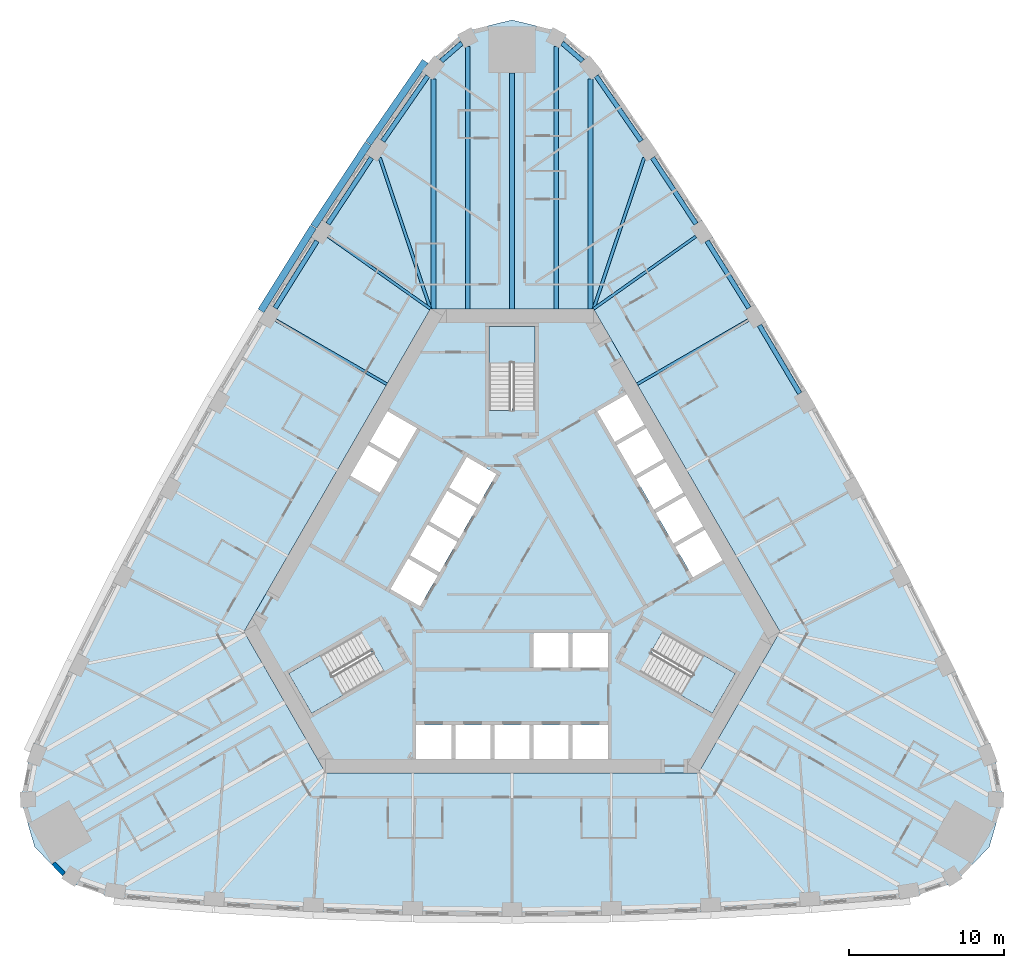
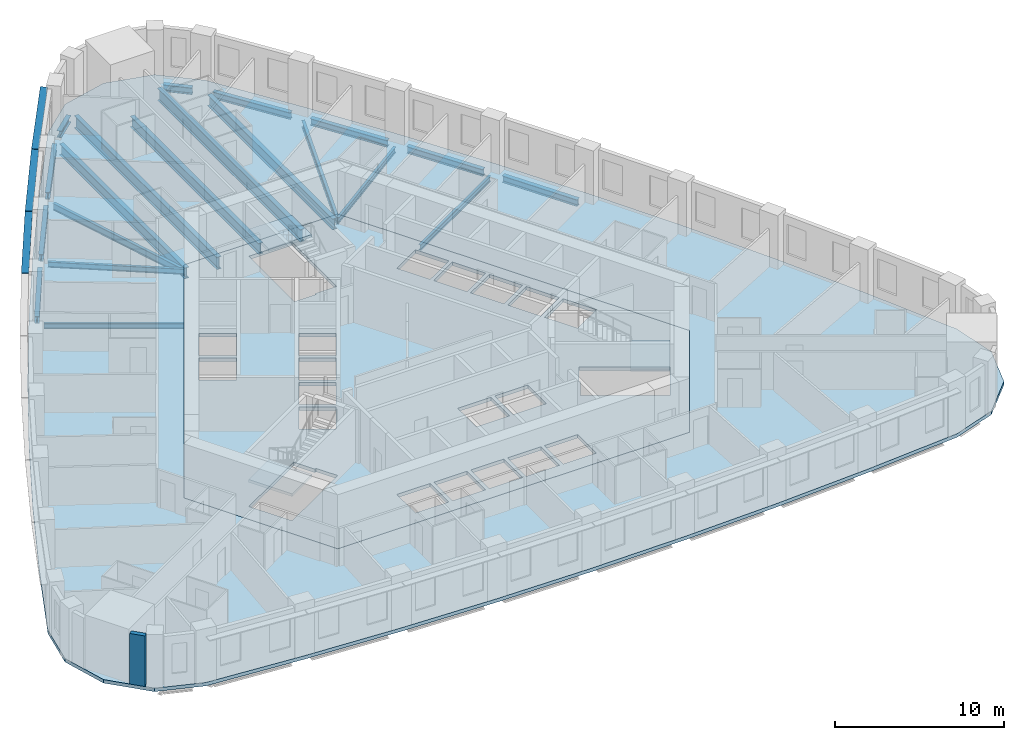
# One storey, part 2 of 13: 20 beams, 5 slabs, 3 members, 1 wall, 3 elements without a shape of their own.
"""IFC4 building model written with IfcOpenShell, lengths in metres."""

from ifc_helpers import new_model, si_unit, direction, frame, frame_2d, origin, origin_2d, place, context, subcontext, project, spatial, polyline, rectangle, i_section, outline, extrude, material, layer, layer_set, material_profile, profile_set, type_object, element, aggregate, save


model = new_model("IFC4")

# Units and contexts
model_context = context("Model", 3, precision=1e-05, world=origin(), true_north=direction((0.0, 1.0)))
body_context = subcontext(model_context, "Body", "Model", "MODEL_VIEW")
ifc_project = project(units=[si_unit("LENGTHUNIT", "METRE"), si_unit("AREAUNIT", "SQUARE_METRE"), si_unit("VOLUMEUNIT", "CUBIC_METRE"), si_unit("PLANEANGLEUNIT", "RADIAN"), si_unit("MASSUNIT", "GRAM", prefix="KILO")], contexts=[model_context])

# Site, building, storey
site_placement = place(None, origin())
site = spatial("IfcSite", under=ifc_project, at=site_placement, CompositionType="ELEMENT")
building_placement = place(site_placement, origin())
building = spatial("IfcBuilding", under=site, at=building_placement, Name="Mestral Congress Tower", CompositionType="ELEMENT")
storey_placement = place(building_placement, frame((0.0, 0.0, 95.39990234375)))
storey = spatial("IfcBuildingStorey", under=building, at=storey_placement, Name="L22", CompositionType="ELEMENT", Elevation=95.39990234375)

# Members
ifc_material_1 = material(Name="Glazed ceramic", Category="masonry")
ifc_material_profile_1 = material_profile(ifc_material_1, rectangle(XDim=0.449951171875, YDim=0.06005859375, at=origin_2d()), Name="Ceramic blade 450 x 60")
ifc_profile_set_1 = profile_set([ifc_material_profile_1], Name="Glazed ceramic")
member_type = type_object("IfcMemberType", Name="Facade sunshade blade 450 x 60", PredefinedType="USERDEFINED", material=ifc_profile_set_1)
member_placement = place(storey_placement, frame((-5.590576171875, 32.8505859375, 3.280029296875), z_axis=(-0.569144736399, -0.822237355652, 0.0), x_axis=(0.822237355652, -0.569144736399, 0.0)))
element("IfcMember", 1, at=member_placement, inside=storey, type_object=member_type, Name="Sunshade F2-00", ObjectType="SUNSHADE", PredefinedType="USERDEFINED", context=body_context, shape_type="SweptSolid", body=[
    extrude(rectangle(XDim=0.449951171875, YDim=0.06005859375, at=origin_2d()), origin(), (0.0, 0.0, 1.0), 6.421630859375),
])
for number, where, z_axis, x_axis, name in (
    (2, (-9.2705078125, 27.532958984375, 3.280029296875), (-0.549764307833, -0.835319822483, 0.0), (0.835319822483, -0.549764307833, 0.0), "Sunshade F2-01"),
    (3, (-12.797119140625, 22.173583984375, 3.280029296875), (-0.530060946156, -0.847959547007, 0.0), (0.847959547007, -0.530060946156, 0.0), "Sunshade F2-02"),
):
    element("IfcMember", number, at=place(storey_placement, frame(where, z_axis=z_axis, x_axis=x_axis)), inside=storey, type_object=member_type, Name=name, ObjectType="SUNSHADE", PredefinedType="USERDEFINED", context=body_context, shape_type="SweptSolid", body=[
        extrude(rectangle(XDim=0.449951171875, YDim=0.06005859375, at=origin_2d()), origin(), (0.0, 0.0, 1.0), 6.370361328125),
    ])

# Beams
ifc_material_2 = material(Name="Steel S355", Category="steel")
ifc_material_profile_2 = material_profile(ifc_material_2, i_section(OverallWidth=0.300048828125, OverallDepth=0.800048828125, WebThickness=0.017578125, FlangeThickness=0.032958984375, FilletRadius=0.030029296875, at=origin_2d()), Name="HEB 800")
ifc_profile_set_2 = profile_set([ifc_material_profile_2], Name="Steel S355")
beam_type_1 = type_object("IfcBeamType", Name="Floor beam HEB 800 S355", PredefinedType="BEAM", material=ifc_profile_set_2)
beam_1_placement = place(storey_placement, frame((5.056396484375, 31.72412109375, -0.64990234375), z_axis=(0.0, -1.0, 0.0), x_axis=(1.0, 0.0, 0.0)))
element("IfcBeam", 4, at=beam_1_placement, inside=storey, type_object=beam_type_1, Name="BM-L22-RB2-E08", PredefinedType="BEAM", context=body_context, shape_type="SweptSolid", body=[
    extrude(i_section(OverallWidth=0.300048828125, OverallDepth=0.800048828125, WebThickness=0.017578125, FlangeThickness=0.032958984375, FilletRadius=0.030029296875, at=origin_2d()), origin(), (0.0, 0.0, 1.0), 14.82421875),
])
beam_2_placement = place(storey_placement, frame((0.0, 32.098388671875, -0.64990234375), z_axis=(0.0, -1.0, 0.0), x_axis=(1.0, 0.0, 0.0)))
element("IfcBeam", 5, at=beam_2_placement, inside=storey, type_object=beam_type_1, Name="BM-L22-RB2-N", PredefinedType="BEAM", context=body_context, shape_type="SweptSolid", body=[
    extrude(i_section(OverallWidth=0.300048828125, OverallDepth=0.800048828125, WebThickness=0.017578125, FlangeThickness=0.032958984375, FilletRadius=0.030029296875, at=origin_2d()), origin(), (0.0, 0.0, 1.0), 15.198486328125),
])
beam_3_placement = place(storey_placement, frame((-5.056396484375, 31.72412109375, -0.64990234375), z_axis=(0.0, -1.0, 0.0), x_axis=(1.0, 0.0, 0.0)))
element("IfcBeam", 6, at=beam_3_placement, inside=storey, type_object=beam_type_1, Name="BM-L22-RB2-W00", PredefinedType="BEAM", context=body_context, shape_type="SweptSolid", body=[
    extrude(i_section(OverallWidth=0.300048828125, OverallDepth=0.800048828125, WebThickness=0.017578125, FlangeThickness=0.032958984375, FilletRadius=0.030029296875, at=origin_2d()), origin(), (0.0, 0.0, 1.0), 14.82421875),
])
ifc_material_profile_3 = material_profile(ifc_material_2, i_section(OverallWidth=0.300048828125, OverallDepth=0.89990234375, WebThickness=0.0185546875, FlangeThickness=0.034912109375, FilletRadius=0.030029296875, at=origin_2d()), Name="HEB 900")
ifc_profile_set_3 = profile_set([ifc_material_profile_3], Name="Steel S355")
beam_type_2 = type_object("IfcBeamType", Name="Floor beam HEB 900 S355", PredefinedType="BEAM", material=ifc_profile_set_3)
for number, where, z_axis, x_axis, name in (
    (7, (2.845703125, 33.794189453125, -0.699951171875), (0.0, -1.0, 0.0), (1.0, 0.0, 0.0), "BM-L22-RB2-N1"),
    (8, (-2.845703125, 33.794189453125, -0.699951171875), (0.0, -1.0, 0.0), (1.0, 0.0, 0.0), "BM-L22-RB2-N3"),
):
    element("IfcBeam", number, at=place(storey_placement, frame(where, z_axis=z_axis, x_axis=x_axis)), inside=storey, type_object=beam_type_2, Name=name, PredefinedType="BEAM", context=body_context, shape_type="SweptSolid", body=[
        extrude(i_section(OverallWidth=0.300048828125, OverallDepth=0.89990234375, WebThickness=0.0185546875, FlangeThickness=0.034912109375, FilletRadius=0.030029296875, at=origin_2d()), origin(), (0.0, 0.0, 1.0), 16.894287109375),
    ])
ifc_material_profile_4 = material_profile(ifc_material_2, i_section(OverallWidth=0.179931640625, OverallDepth=0.39990234375, WebThickness=0.008544921875, FlangeThickness=0.013427734375, FilletRadius=0.02099609375, at=origin_2d()), Name="IPE 400")
ifc_profile_set_4 = profile_set([ifc_material_profile_4], Name="Steel S355")
beam_type_3 = type_object("IfcBeamType", Name="Floor beam IPE 400 S355", PredefinedType="BEAM", material=ifc_profile_set_4)
beam_4_placement = place(storey_placement, frame((15.219482421875, 16.176513671875, -0.449951171875), z_axis=(-0.866015952286, -0.500016370119, 0.0), x_axis=(0.500016370119, -0.866015952286, 0.0)))
element("IfcBeam", 9, at=beam_4_placement, inside=storey, type_object=beam_type_3, Name="BM-L22-RB2-E05", PredefinedType="BEAM", context=body_context, shape_type="SweptSolid", body=[
    extrude(i_section(OverallWidth=0.179931640625, OverallDepth=0.39990234375, WebThickness=0.008544921875, FlangeThickness=0.013427734375, FilletRadius=0.02099609375, at=origin_2d()), origin(), (0.0, 0.0, 1.0), 8.268798828125),
])
for number, where, z_axis, x_axis, name in (
    (10, (11.849365234375, 21.568115234375, -0.449951171875), (-0.816232852676, -0.577723056673, 0.0), (0.577723056673, -0.816232852676, 0.0), "BM-L22-RB2-E06"),
    (11, (-11.849365234375, 21.568115234375, -0.449951171875), (0.816232852676, -0.577723056673, 0.0), (0.577723056673, 0.816232852676, 0.0), "BM-L22-RB2-W02"),
):
    element("IfcBeam", number, at=place(storey_placement, frame(where, z_axis=z_axis, x_axis=x_axis)), inside=storey, type_object=beam_type_3, Name=name, PredefinedType="BEAM", context=body_context, shape_type="SweptSolid", body=[
        extrude(i_section(OverallWidth=0.179931640625, OverallDepth=0.39990234375, WebThickness=0.008544921875, FlangeThickness=0.013427734375, FilletRadius=0.02099609375, at=origin_2d()), origin(), (0.0, 0.0, 1.0), 8.080322265625),
    ])
beam_5_placement = place(storey_placement, frame((-15.219482421875, 16.176513671875, -0.449951171875), z_axis=(0.866015952286, -0.500016370119, 0.0), x_axis=(0.500016370119, 0.866015952286, 0.0)))
element("IfcBeam", 12, at=beam_5_placement, inside=storey, type_object=beam_type_3, Name="BM-L22-RB2-W03", PredefinedType="BEAM", context=body_context, shape_type="SweptSolid", body=[
    extrude(i_section(OverallWidth=0.179931640625, OverallDepth=0.39990234375, WebThickness=0.008544921875, FlangeThickness=0.013427734375, FilletRadius=0.02099609375, at=origin_2d()), origin(), (0.0, 0.0, 1.0), 8.268798828125),
])
ifc_material_profile_5 = material_profile(ifc_material_2, i_section(OverallWidth=0.199951171875, OverallDepth=0.5, WebThickness=0.01025390625, FlangeThickness=0.01611328125, FilletRadius=0.02099609375, at=origin_2d()), Name="IPE 500")
ifc_profile_set_5 = profile_set([ifc_material_profile_5], Name="Steel S355")
beam_type_4 = type_object("IfcBeamType", Name="Floor beam IPE 500 S355", PredefinedType="BEAM", material=ifc_profile_set_5)
for number, where, z_axis, x_axis, name in (
    (13, (8.5185546875, 26.636962890625, -0.5), (-0.317888994992, -0.948127938025, 0.0), (0.948127938025, -0.317888994992, 0.0), "BM-L22-RB2-E07"),
    (14, (-8.5185546875, 26.636962890625, -0.5), (0.317888994992, -0.948127938025, 0.0), (0.948127938025, 0.317888994992, 0.0), "BM-L22-RB2-W01"),
):
    element("IfcBeam", number, at=place(storey_placement, frame(where, z_axis=z_axis, x_axis=x_axis)), inside=storey, type_object=beam_type_4, Name=name, PredefinedType="BEAM", context=body_context, shape_type="SweptSolid", body=[
        extrude(i_section(OverallWidth=0.199951171875, OverallDepth=0.5, WebThickness=0.01025390625, FlangeThickness=0.01611328125, FilletRadius=0.02099609375, at=origin_2d()), origin(), (0.0, 0.0, 1.0), 10.269775390625),
    ])
ifc_material_profile_6 = material_profile(ifc_material_2, i_section(OverallWidth=0.300048828125, OverallDepth=0.489990234375, WebThickness=0.011962890625, FlangeThickness=0.02294921875, FilletRadius=0.027099609375, at=origin_2d()), Name="HEA 500")
ifc_profile_set_6 = profile_set([ifc_material_profile_6], Name="Steel S355")
beam_type_5 = type_object("IfcBeamType", Name="Spandrel beam HEA 500 S355", PredefinedType="BEAM", material=ifc_profile_set_6)
for number, where, z_axis, x_axis, name in (
    (15, (18.542236328125, 11.455810546875, -0.494873046875), (-0.510081870963, 0.860125854114, 0.0), (-0.860125854114, -0.510081870963, 0.0), "SP-L22-SB2-E04"),
    (16, (15.2646484375, 16.95263671875, -0.494873046875), (-0.530046273959, 0.847968718446, 0.0), (-0.847968718446, -0.530046273959, 0.0), "SP-L22-SB2-E05"),
):
    element("IfcBeam", number, at=place(storey_placement, frame(where, z_axis=z_axis, x_axis=x_axis)), inside=storey, type_object=beam_type_5, Name=name, PredefinedType="BEAM", context=body_context, shape_type="SweptSolid", body=[
        extrude(i_section(OverallWidth=0.300048828125, OverallDepth=0.489990234375, WebThickness=0.011962890625, FlangeThickness=0.02294921875, FilletRadius=0.027099609375, at=origin_2d()), origin(), (0.0, 0.0, 1.0), 5.099853515625),
    ])
beam_6_placement = place(storey_placement, frame((11.859619140625, 22.371337890625, -0.494873046875), z_axis=(-0.549729920898, 0.835342453171, 0.0), x_axis=(-0.835342453171, -0.549729920898, 0.0)))
element("IfcBeam", 17, at=beam_6_placement, inside=storey, type_object=beam_type_5, Name="SP-L22-SB2-E06", PredefinedType="BEAM", context=body_context, shape_type="SweptSolid", body=[
    extrude(i_section(OverallWidth=0.300048828125, OverallDepth=0.489990234375, WebThickness=0.011962890625, FlangeThickness=0.02294921875, FilletRadius=0.027099609375, at=origin_2d()), origin(), (0.0, 0.0, 1.0), 5.099609375),
])
beam_7_placement = place(storey_placement, frame((8.32861328125, 27.708740234375, -0.494873046875), z_axis=(-0.569105377225, 0.822264598298, 0.0), x_axis=(-0.822264598298, -0.569105377225, 0.0)))
element("IfcBeam", 18, at=beam_7_placement, inside=storey, type_object=beam_type_5, Name="SP-L22-SB2-E07", PredefinedType="BEAM", context=body_context, shape_type="SweptSolid", body=[
    extrude(i_section(OverallWidth=0.300048828125, OverallDepth=0.489990234375, WebThickness=0.011962890625, FlangeThickness=0.02294921875, FilletRadius=0.027099609375, at=origin_2d()), origin(), (0.0, 0.0, 1.0), 5.09765625),
])
for number, where, z_axis, x_axis, name in (
    (19, (4.558349609375, 32.869140625, -0.494873046875), (-0.754917058401, 0.655820276398, 0.0), (-0.655820276398, -0.754917058401, 0.0), "SP-L22-SB2-E08"),
    (20, (-3.234130859375, 34.01953125, -0.494873046875), (-0.754917058401, -0.655820276398, 0.0), (0.655820276398, -0.754917058401, 0.0), "SP-L22-SB2-N3"),
):
    element("IfcBeam", number, at=place(storey_placement, frame(where, z_axis=z_axis, x_axis=x_axis)), inside=storey, type_object=beam_type_5, Name=name, PredefinedType="BEAM", context=body_context, shape_type="SweptSolid", body=[
        extrude(i_section(OverallWidth=0.300048828125, OverallDepth=0.489990234375, WebThickness=0.011962890625, FlangeThickness=0.02294921875, FilletRadius=0.027099609375, at=origin_2d()), origin(), (0.0, 0.0, 1.0), 1.754150390625),
    ])
beam_8_placement = place(storey_placement, frame((-5.427490234375, 31.900390625, -0.494873046875), z_axis=(-0.569105377225, -0.822264598298, 0.0), x_axis=(0.822264598298, -0.569105377225, 0.0)))
element("IfcBeam", 21, at=beam_8_placement, inside=storey, type_object=beam_type_5, Name="SP-L22-SB2-W00", PredefinedType="BEAM", context=body_context, shape_type="SweptSolid", body=[
    extrude(i_section(OverallWidth=0.300048828125, OverallDepth=0.489990234375, WebThickness=0.011962890625, FlangeThickness=0.02294921875, FilletRadius=0.027099609375, at=origin_2d()), origin(), (0.0, 0.0, 1.0), 5.09765625),
])
beam_9_placement = place(storey_placement, frame((-9.05615234375, 26.63134765625, -0.494873046875), z_axis=(-0.549729920898, -0.835342453171, 0.0), x_axis=(0.835342453171, -0.549729920898, 0.0)))
element("IfcBeam", 22, at=beam_9_placement, inside=storey, type_object=beam_type_5, Name="SP-L22-SB2-W01", PredefinedType="BEAM", context=body_context, shape_type="SweptSolid", body=[
    extrude(i_section(OverallWidth=0.300048828125, OverallDepth=0.489990234375, WebThickness=0.011962890625, FlangeThickness=0.02294921875, FilletRadius=0.027099609375, at=origin_2d()), origin(), (0.0, 0.0, 1.0), 5.099609375),
])
beam_10_placement = place(storey_placement, frame((-12.5615234375, 21.277099609375, -0.494873046875), z_axis=(-0.530046273959, -0.847968718446, 0.0), x_axis=(0.847968718446, -0.530046273959, 0.0)))
element("IfcBeam", 23, at=beam_10_placement, inside=storey, type_object=beam_type_5, Name="SP-L22-SB2-W02", PredefinedType="BEAM", context=body_context, shape_type="SweptSolid", body=[
    extrude(i_section(OverallWidth=0.300048828125, OverallDepth=0.489990234375, WebThickness=0.011962890625, FlangeThickness=0.02294921875, FilletRadius=0.027099609375, at=origin_2d()), origin(), (0.0, 0.0, 1.0), 5.099853515625),
])

# Slabs
ifc_material_3 = material(Name="Concrete C35/45", Category="concrete")
ifc_layer_1 = layer(ifc_material_3, 0.25)
ifc_layer_set_1 = layer_set([ifc_layer_1], Name="Concrete C35/45")
slab_type_1 = type_object("IfcSlabType", Name="Composite floor slab 250", PredefinedType="FLOOR", material=ifc_layer_set_1)
placement_1 = place(storey_placement, frame((0.0, 0.0, -0.25)))
element("IfcSlab", 24, at=placement_1, inside=storey, type_object=slab_type_1, Name="SL-L22", PredefinedType="FLOOR", context=body_context, shape_type="SweptSolid", body=[
    extrude(outline(polyline([(-25.656005859375, -21.041015625), (-28.581298828125, -20.03271484375), (-30.75390625, -17.755859375), (-31.639404296875, -14.73583984375), (-31.050048828125, -11.697998046875), (-28.28759765625, -5.856689453125), (-25.412109375, -0.12744140625), (-22.403564453125, 5.533203125), (-19.263671875, 11.121826171875), (-15.99365234375, 16.635498046875), (-12.595703125, 22.0712890625), (-9.07177734375, 27.426025390625), (-5.39404296875, 32.739013671875), (-3.05810546875, 34.768310546875), (0.0, 35.51171875), (3.05810546875, 34.768310546875), (5.39404296875, 32.739013671875), (9.07177734375, 27.426025390625), (12.595703125, 22.0712890625), (15.99365234375, 16.635498046875), (19.263671875, 11.121826171875), (22.403564453125, 5.533203125), (25.412109375, -0.12744140625), (28.28759765625, -5.856689453125), (31.050048828125, -11.697998046875), (31.639404296875, -14.73583984375), (30.75390625, -17.755859375), (28.581298828125, -20.03271484375), (25.656005859375, -21.041015625), (19.2158203125, -21.5693359375), (12.81640625, -21.94384765625), (6.409912109375, -22.168701171875), (0.0, -22.24365234375), (-6.409912109375, -22.168701171875), (-12.81640625, -21.94384765625), (-19.2158203125, -21.5693359375), (-25.656005859375, -21.041015625)]), holes=[polyline([(-5.25390625, 16.89990234375), (-17.2626953125, -3.89990234375), (-12.0087890625, -13.0), (12.0087890625, -13.0), (17.2626953125, -3.89990234375), (5.25390625, 16.89990234375), (-5.25390625, 16.89990234375)])]), origin(), (0.0, 0.0, 1.0), 0.25),
])
ifc_material_4 = material(Name="Concrete C60/75", Category="concrete")
ifc_layer_2 = layer(ifc_material_4, 0.25)
ifc_layer_set_2 = layer_set([ifc_layer_2], Name="Concrete C60/75")
slab_type_2 = type_object("IfcSlabType", Name="Core floor slab RC 250", PredefinedType="FLOOR", material=ifc_layer_set_2)
element("IfcSlab", 25, at=placement_1, inside=storey, type_object=slab_type_2, Name="L22 core floor", PredefinedType="FLOOR", context=body_context, shape_type="SweptSolid", body=[
    extrude(outline(polyline([(12.0087890625, -13.0), (-12.0087890625, -13.0), (-17.2626953125, -3.89990234375), (-5.25390625, 16.89990234375), (5.25390625, 16.89990234375), (17.2626953125, -3.89990234375), (12.0087890625, -13.0)]), holes=[polyline([(-3.905029296875, -9.89990234375), (-6.175048828125, -9.89990234375), (-6.175048828125, -12.10009765625), (-3.905029296875, -12.10009765625), (-3.905029296875, -9.89990234375)]), polyline([(-1.385009765625, -9.89990234375), (-3.655029296875, -9.89990234375), (-3.655029296875, -12.10009765625), (-1.385009765625, -12.10009765625), (-1.385009765625, -9.89990234375)]), polyline([(1.135009765625, -9.89990234375), (-1.135009765625, -9.89990234375), (-1.135009765625, -12.10009765625), (1.135009765625, -12.10009765625), (1.135009765625, -9.89990234375)]), polyline([(-9.0673828125, -5.235107421875), (-9.8046875, -3.95751953125), (-14.37744140625, -6.59765625), (-12.90234375, -9.15234375), (-8.234619140625, -6.45751953125), (-8.971923828125, -5.179931640625), (-9.0673828125, -5.235107421875)]), polyline([(-7.826904296875, -1.156494140625), (-5.921630859375, -2.256591796875), (-4.78662109375, -0.29052734375), (-6.69189453125, 0.809326171875), (-7.826904296875, -1.156494140625)]), polyline([(-4.66162109375, -0.07421875), (-3.526611328125, 1.8916015625), (-5.431884765625, 2.99169921875), (-6.56689453125, 1.02587890625), (-4.66162109375, -0.07421875)]), polyline([(-3.401611328125, 2.1083984375), (-2.2666015625, 4.07421875), (-4.171875, 5.174072265625), (-5.306884765625, 3.208251953125), (-3.401611328125, 2.1083984375)]), polyline([(-2.1416015625, 4.29052734375), (-1.006591796875, 6.256591796875), (-2.911865234375, 7.3564453125), (-4.046875, 5.390625), (-2.1416015625, 4.29052734375)]), polyline([(-10.41650390625, 6.158203125), (-8.51123046875, 5.058349609375), (-7.376220703125, 7.024169921875), (-9.281494140625, 8.1240234375), (-10.41650390625, 6.158203125)]), polyline([(-9.156494140625, 8.340576171875), (-7.251220703125, 7.240478515625), (-6.1162109375, 9.20654296875), (-8.021484375, 10.306396484375), (-9.156494140625, 8.340576171875)]), polyline([(1.47509765625, 10.469970703125), (1.47509765625, 15.75), (-1.47509765625, 15.75), (-1.47509765625, 10.360107421875), (0.0, 10.360107421875), (0.0, 10.469970703125), (1.47509765625, 10.469970703125)]), polyline([(3.655029296875, -9.89990234375), (1.385009765625, -9.89990234375), (1.385009765625, -12.10009765625), (3.655029296875, -12.10009765625), (3.655029296875, -9.89990234375)]), polyline([(6.175048828125, -9.89990234375), (3.905029296875, -9.89990234375), (3.905029296875, -12.10009765625), (6.175048828125, -12.10009765625), (6.175048828125, -9.89990234375)]), polyline([(9.0673828125, -5.235107421875), (8.329833984375, -6.512451171875), (12.90234375, -9.15234375), (14.37744140625, -6.59765625), (9.70947265625, -3.902587890625), (8.971923828125, -5.179931640625), (9.0673828125, -5.235107421875)]), polyline([(3.655029296875, -6.199951171875), (3.655029296875, -4.0), (1.385009765625, -4.0), (1.385009765625, -6.199951171875), (3.655029296875, -6.199951171875)]), polyline([(6.175048828125, -4.0), (3.905029296875, -4.0), (3.905029296875, -6.199951171875), (6.175048828125, -6.199951171875), (6.175048828125, -4.0)]), polyline([(12.431396484375, 2.668212890625), (10.526123046875, 1.568115234375), (11.6611328125, -0.397705078125), (13.56640625, 0.702392578125), (12.431396484375, 2.668212890625)]), polyline([(11.17138671875, 4.8505859375), (9.26611328125, 3.75048828125), (10.401123046875, 1.78466796875), (12.306396484375, 2.884765625), (11.17138671875, 4.8505859375)]), polyline([(8.006103515625, 5.932861328125), (9.14111328125, 3.967041015625), (11.04638671875, 5.067138671875), (9.911376953125, 7.032958984375), (8.006103515625, 5.932861328125)]), polyline([(8.6513671875, 9.21533203125), (6.74609375, 8.115234375), (7.881103515625, 6.1494140625), (9.786376953125, 7.24951171875), (8.6513671875, 9.21533203125)]), polyline([(7.391357421875, 11.397705078125), (5.486083984375, 10.297607421875), (6.62109375, 8.331787109375), (8.5263671875, 9.431884765625), (7.391357421875, 11.397705078125)])]), origin(), (0.0, 0.0, 1.0), 0.25),
])

# Stair, slab
stair_type = type_object("IfcStairType", Name="Exit stair 1400", PredefinedType="HALF_TURN_STAIR", material=ifc_material_4)
placement_2 = place(storey_placement, origin())
stair_1 = element("IfcStair", 26, at=placement_2, inside=storey, type_object=stair_type, Name="L22 ST1", PredefinedType="HALF_TURN_STAIR")
ifc_layer_3 = layer(ifc_material_4, 0.199951171875)
ifc_layer_set_3 = layer_set([ifc_layer_3], Name="Concrete C60/75")
slab_type_3 = type_object("IfcSlabType", Name="Exit stair landing 200", PredefinedType="LANDING", material=ifc_layer_set_3)
placement_3 = place(storey_placement, frame((0.0, 0.0, 1.75)))
slab_3 = element("IfcSlab", 27, at=placement_3, type_object=slab_type_3, Name="ST1 landing 1", PredefinedType="LANDING", context=body_context, shape_type="SweptSolid", body=[
    extrude(outline(polyline([(10.879638671875, -7.99609375), (12.364501953125, -5.424072265625), (14.39111328125, -6.593994140625), (12.906005859375, -9.166015625), (10.879638671875, -7.99609375)])), origin(), (0.0, 0.0, 1.0), 0.2001953125),
])
aggregate(stair_1, [slab_3])

stair_2 = element("IfcStair", 28, at=placement_2, inside=storey, type_object=stair_type, Name="L22 ST2", PredefinedType="HALF_TURN_STAIR")
slab_4 = element("IfcSlab", 29, at=placement_3, type_object=slab_type_3, Name="ST2 landing 1", PredefinedType="LANDING", context=body_context, shape_type="SweptSolid", body=[
    extrude(outline(polyline([(1.485107421875, 13.419921875), (-1.485107421875, 13.419921875), (-1.485107421875, 15.760009765625), (1.485107421875, 15.760009765625), (1.485107421875, 13.419921875)])), origin(), (0.0, 0.0, 1.0), 0.2001953125),
])
aggregate(stair_2, [slab_4])

stair_3 = element("IfcStair", 30, at=placement_2, inside=storey, type_object=stair_type, Name="L22 ST3", PredefinedType="HALF_TURN_STAIR")
slab_5 = element("IfcSlab", 31, at=placement_3, type_object=slab_type_3, Name="ST3 landing 1", PredefinedType="LANDING", context=body_context, shape_type="SweptSolid", body=[
    extrude(outline(polyline([(-12.364501953125, -5.424072265625), (-10.879638671875, -7.99609375), (-12.906005859375, -9.166015625), (-14.39111328125, -6.593994140625), (-12.364501953125, -5.424072265625)])), origin(), (0.0, 0.0, 1.0), 0.2001953125),
])
aggregate(stair_3, [slab_5])

# Wall
ifc_material_5 = material(Name="Precast concrete C40/50 with limestone facing", Category="masonry")
ifc_layer_4 = layer(ifc_material_5, 0.2900390625)
ifc_layer_set_4 = layer_set([ifc_layer_4], Name="Precast concrete C40/50 with limestone facing")
wall_type = type_object("IfcWallType", Name="Facade stone wall 290", PredefinedType="SOLIDWALL", material=ifc_layer_set_4)
wall_placement = place(storey_placement, frame((-29.5341796875, -18.82421875, 0.0), z_axis=(0.0, 0.0, 1.0), x_axis=(0.690414427296, -0.723414071319, 0.0)))
element("IfcWall", 32, at=wall_placement, inside=storey, type_object=wall_type, Name="Facade wall K2-2", PredefinedType="SOLIDWALL", context=body_context, shape_type="SweptSolid", body=[
    extrude(rectangle(XDim=0.947021484375, YDim=0.2900390625, at=frame_2d((0.4736328125, 0.0))), origin(), (0.0, 0.0, 1.0), 3.650146484375),
])

save(model, "model.ifc")
